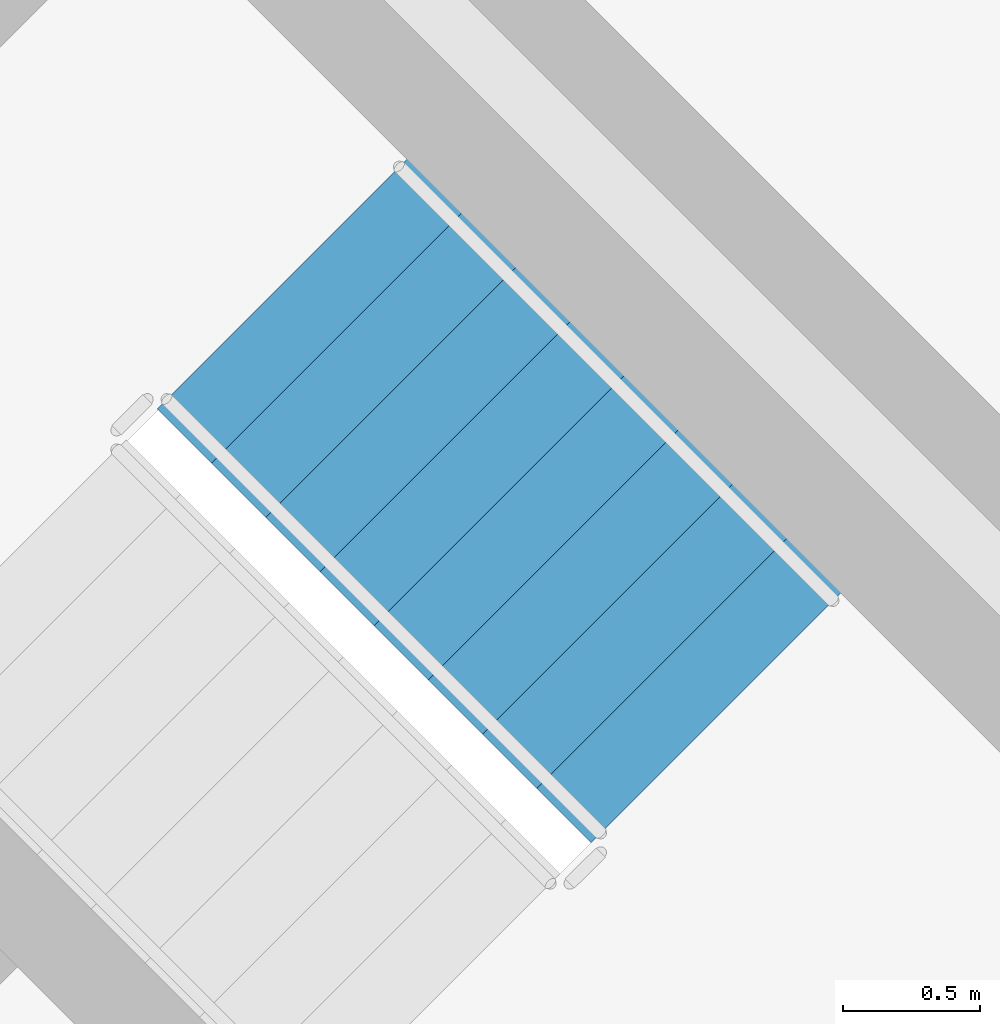
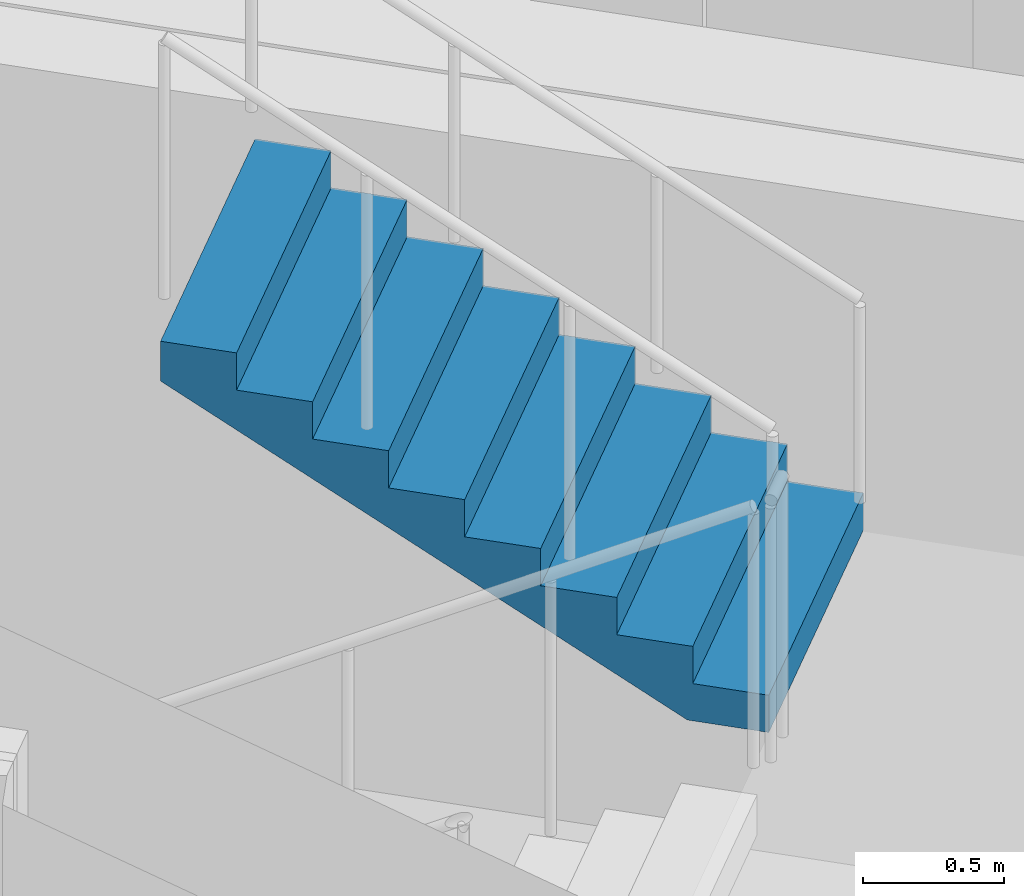
# One storey, part 17 of 20: 1 stair flight, 1 element without a shape of its own.
"""IFC4 building model written with IfcOpenShell, lengths in metres."""

from ifc_helpers import new_model, si_unit, direction, frame, origin, place, context, subcontext, project, spatial, polyline, outline, extrude, material, type_object, element, aggregate, save


model = new_model("IFC4")

# Units and contexts
model_context = context("Model", 3, precision=1e-05, world=origin(), true_north=direction((0.0, 1.0)))
body_context = subcontext(model_context, "Body", "Model", "MODEL_VIEW")
ifc_project = project(units=[si_unit("LENGTHUNIT", "METRE"), si_unit("AREAUNIT", "SQUARE_METRE"), si_unit("VOLUMEUNIT", "CUBIC_METRE"), si_unit("PLANEANGLEUNIT", "RADIAN"), si_unit("MASSUNIT", "GRAM", prefix="KILO")], contexts=[model_context])

# Site, building, storey
site_placement = place(None, origin())
site = spatial("IfcSite", under=ifc_project, at=site_placement, CompositionType="ELEMENT")
building_placement = place(site_placement, origin())
building = spatial("IfcBuilding", under=site, at=building_placement, Name="Cununo Teusaquillo Station Towers", CompositionType="ELEMENT")
storey_placement = place(building_placement, frame((0.0, 0.0, 39.4599609375)))
storey = spatial("IfcBuildingStorey", under=building, at=storey_placement, Name="L11", CompositionType="ELEMENT", Elevation=39.4599609375)

# Stair, stair flight
ifc_material_1 = material(Name="Concrete C50/60", Category="concrete")
stair_type = type_object("IfcStairType", Name="ST-TWR-1300", PredefinedType="HALF_TURN_STAIR", material=ifc_material_1)
stair_placement = place(storey_placement, origin())
stair = element("IfcStair", 1, at=stair_placement, inside=storey, type_object=stair_type, Name="L11 Tower B Protected Core Exit Stair 2", PredefinedType="HALF_TURN_STAIR")
ifc_material_2 = material(Name="Concrete C50/60", Category="concrete")
stair_flight_type = type_object("IfcStairFlightType", Name="SFL-TWR-1300", PredefinedType="STRAIGHT", material=ifc_material_2)
stair_flight_placement = place(storey_placement, frame((63.15673828125, 24.627197265625, 1.455078125), z_axis=(0.0, 0.0, 1.0), x_axis=(-0.707106781187, 0.707106781187, 0.0)))
stair_flight = element("IfcStairFlight", 2, at=stair_flight_placement, type_object=stair_flight_type, Name="ST-T2-2 flight 2", NumberOfRisers=9, NumberOfTreads=8, PredefinedType="STRAIGHT", RiserHeight=0.161666667, TreadLength=0.28, context=body_context, shape_type="SweptSolid", body=[
    extrude(outline(polyline([(0.0, 0.0), (0.0, 0.16162109375), (0.280029296875, 0.16162109375), (0.280029296875, 0.3232421875), (0.56005859375, 0.3232421875), (0.56005859375, 0.485107421875), (0.840087890625, 0.485107421875), (0.840087890625, 0.646728515625), (1.1201171875, 0.646728515625), (1.1201171875, 0.808349609375), (1.39990234375, 0.808349609375), (1.39990234375, 0.969970703125), (1.679931640625, 0.969970703125), (1.679931640625, 1.131591796875), (1.9599609375, 1.131591796875), (1.9599609375, 1.293212890625), (2.239990234375, 1.293212890625), (2.239990234375, 1.455078125), (2.239990234375, 1.1201171875), (0.2998046875, 0.0), (0.0, 0.0)])), frame((0.0, 0.64990234375, 0.0), z_axis=(0.0, -1.0, 0.0), x_axis=(1.0, 0.0, 0.0)), (0.0, 0.0, 1.0), 1.300048828125),
])
aggregate(stair, [stair_flight])

save(model, "model.ifc")
